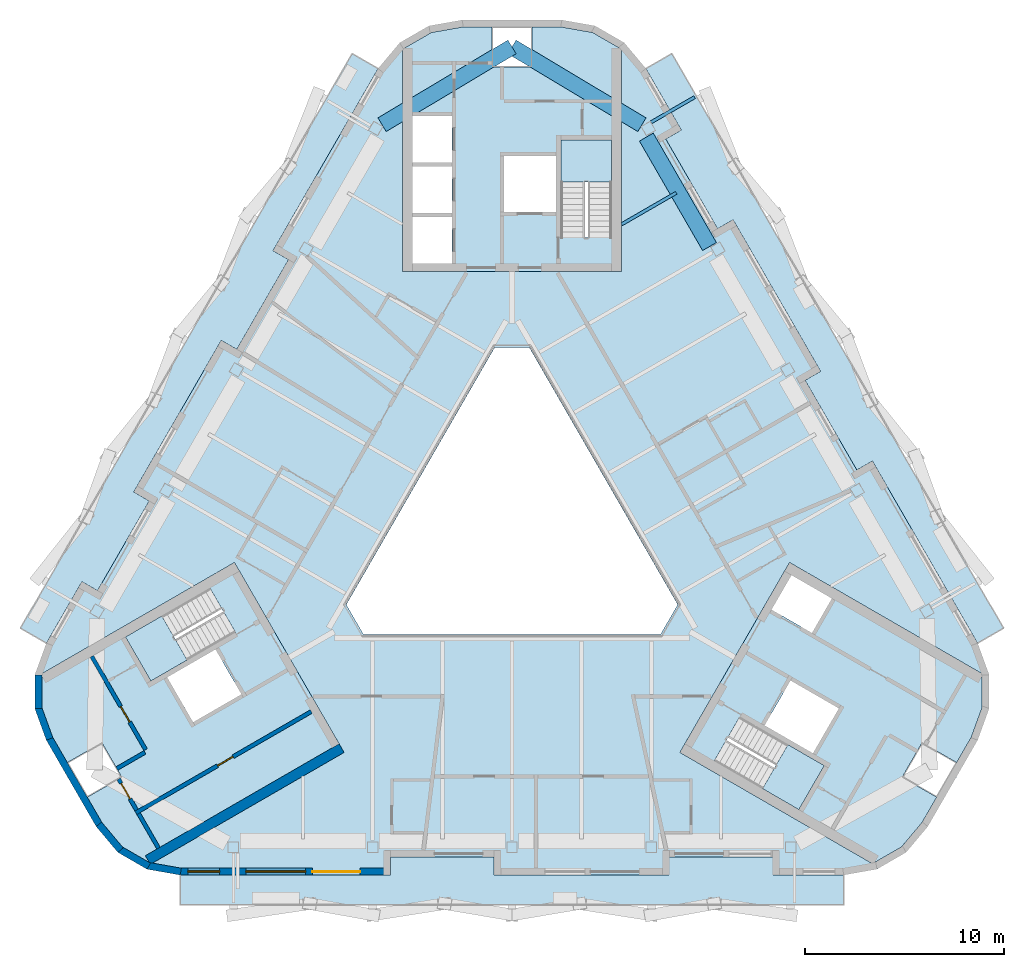
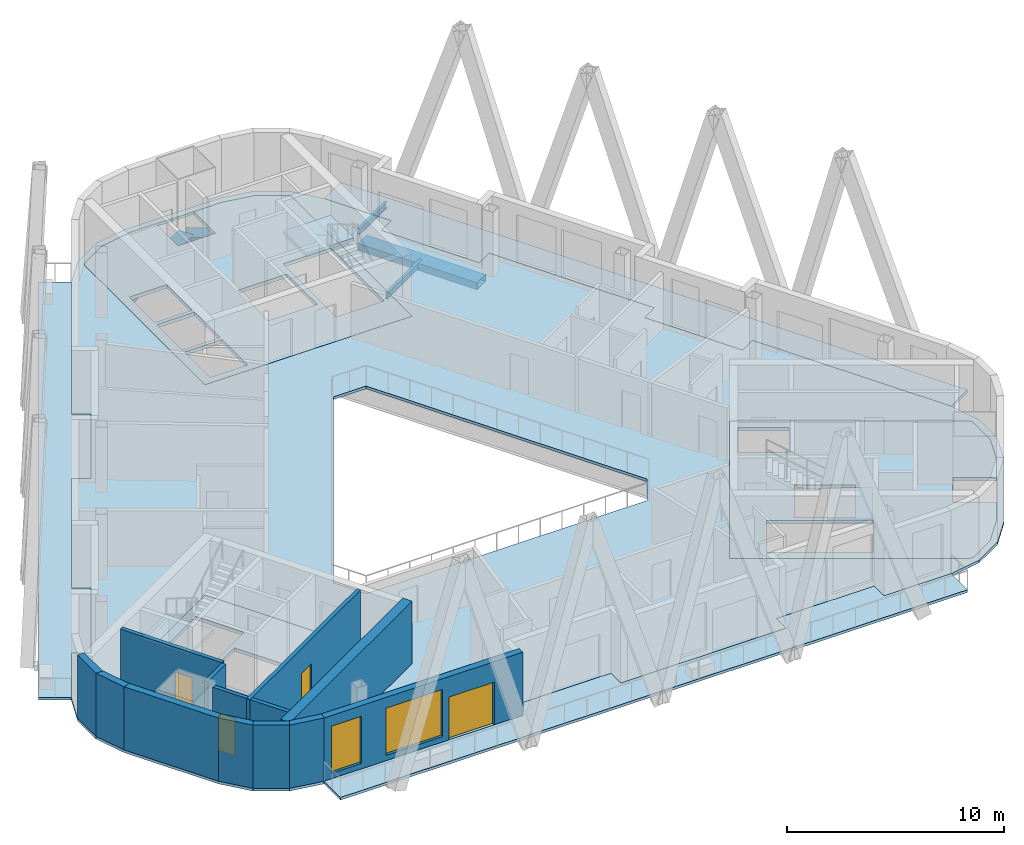
# One storey, part 2 of 12: 13 walls, 10 slabs, 5 beams, 4 doors, 2 windows, 6 openings, 3 elements without a shape of their own.
"""IFC4 building model written with IfcOpenShell, lengths in metres."""

from ifc_helpers import new_model, si_unit, direction, frame, frame_2d, origin, origin_2d, place, context, subcontext, project, spatial, polyline, rectangle, hollow_rectangle, i_section, outline, extrude, material, layer, layer_set, material_profile, profile_set, type_object, element, fill, aggregate, save


model = new_model("IFC4")

# Units and contexts
model_context = context("Model", 3, precision=1e-05, world=origin(), true_north=direction((0.0, 1.0)))
body_context = subcontext(model_context, "Body", "Model", "MODEL_VIEW")
ifc_project = project(units=[si_unit("LENGTHUNIT", "METRE"), si_unit("AREAUNIT", "SQUARE_METRE"), si_unit("VOLUMEUNIT", "CUBIC_METRE"), si_unit("PLANEANGLEUNIT", "RADIAN"), si_unit("MASSUNIT", "GRAM", prefix="KILO")], contexts=[model_context])

# Site, building, storey
site_placement = place(None, origin())
site = spatial("IfcSite", under=ifc_project, at=site_placement, CompositionType="ELEMENT")
building_placement = place(site_placement, origin())
building = spatial("IfcBuilding", under=site, at=building_placement, Name="Apuvela Tower Hotel", CompositionType="ELEMENT")
storey_placement = place(building_placement, frame((0.0, 0.0, 291.10009765625)))
storey = spatial("IfcBuildingStorey", under=building, at=storey_placement, Name="L72", CompositionType="ELEMENT", Elevation=291.10009765625)

# Beams
ifc_material_1 = material(Name="Steel S355", Category="steel")
ifc_material_profile_1 = material_profile(ifc_material_1, i_section(OverallWidth=0.159912109375, OverallDepth=0.330078125, WebThickness=0.007568359375, FlangeThickness=0.011474609375, at=origin_2d()), Name="IPE 330")
ifc_profile_set_1 = profile_set([ifc_material_profile_1], Name="Steel S355")
beam_type_1 = type_object("IfcBeamType", Name="ENV-BALCONY-BEAM-IPE330", PredefinedType="BEAM", material=ifc_profile_set_1)
beam_1_placement = place(storey_placement, frame((6.97412109375, 20.3935546875, -0.315185546875), z_axis=(0.866039067339, 0.499976333282, 0.0), x_axis=(-0.499976333282, 0.866039067339, 0.0)))
element("IfcBeam", 1, at=beam_1_placement, inside=storey, type_object=beam_type_1, Name="Balcony cantilever beam NE3 L72", PredefinedType="BEAM", context=body_context, shape_type="SweptSolid", body=[
    extrude(i_section(OverallWidth=0.159912109375, OverallDepth=0.330078125, WebThickness=0.007568359375, FlangeThickness=0.011474609375, at=origin_2d()), origin(), (0.0, 0.0, 1.0), 2.52490234375),
])
ifc_material_profile_2 = material_profile(ifc_material_1, i_section(OverallWidth=0.159912109375, OverallDepth=0.330078125, WebThickness=0.007568359375, FlangeThickness=0.011474609375, at=origin_2d()), Name="IPE 330")
ifc_profile_set_2 = profile_set([ifc_material_profile_2], Name="Steel S355")
beam_type_2 = type_object("IfcBeamType", Name="STR-B floor beam IPE 330", PredefinedType="BEAM", material=ifc_profile_set_2)
beam_2_placement = place(storey_placement, frame((8.236328125, 16.857421875, -0.315185546875), z_axis=(-0.866023457084, -0.500003371769, 0.0), x_axis=(0.500003371769, -0.866023457084, 0.0)))
element("IfcBeam", 2, at=beam_2_placement, inside=storey, type_object=beam_type_2, Name="Floor beam B1 NE8", PredefinedType="BEAM", context=body_context, shape_type="SweptSolid", body=[
    extrude(i_section(OverallWidth=0.159912109375, OverallDepth=0.330078125, WebThickness=0.007568359375, FlangeThickness=0.011474609375, at=origin_2d()), origin(), (0.0, 0.0, 1.0), 3.15966796875),
])
ifc_material_2 = material(Name="Steel S460", Category="steel")
ifc_material_profile_3 = material_profile(ifc_material_2, hollow_rectangle(XDim=0.800048828125, YDim=0.39990234375, WallThickness=0.02490234375, at=origin_2d()), Name="BOX 800x400x25")
ifc_profile_set_3 = profile_set([ifc_material_profile_3], Name="Steel S460")
beam_type_3 = type_object("IfcBeamType", Name="STR-RB perimeter ring beam BOX 800x400x25", PredefinedType="SPANDREL", material=ifc_profile_set_3)
beam_3_placement = place(storey_placement, frame((9.9072265625, 14.163330078125, -0.400146484375), z_axis=(-0.499992582699, 0.866029686123, 0.0), x_axis=(-0.866029686123, -0.499992582699, 0.0)))
element("IfcBeam", 3, at=beam_3_placement, inside=storey, type_object=beam_type_3, Name="Ring beam RB1 NE4", PredefinedType="SPANDREL", context=body_context, shape_type="SweptSolid", body=[
    extrude(hollow_rectangle(XDim=0.800048828125, YDim=0.39990234375, WallThickness=0.02490234375, at=origin_2d()), origin(), (0.0, 0.0, 1.0), 6.3369140625),
])
for number, where, z_axis, x_axis, name in (
    (4, (6.51708984375, 20.27392578125, -0.400146484375), (-0.858022828129, 0.51361155206, 0.0), (-0.51361155206, -0.858022828129, 0.0), "Ring beam RB1 NE5-N"),
    (5, (-6.51708984375, 20.27392578125, -0.400146484375), (0.858022828129, 0.51361155206, 0.0), (-0.51361155206, 0.858022828129, 0.0), "Ring beam RB1 NW1-N"),
):
    element("IfcBeam", number, at=place(storey_placement, frame(where, z_axis=z_axis, x_axis=x_axis)), inside=storey, type_object=beam_type_3, Name=name, PredefinedType="SPANDREL", context=body_context, shape_type="SweptSolid", body=[
        extrude(hollow_rectangle(XDim=0.800048828125, YDim=0.39990234375, WallThickness=0.02490234375, at=origin_2d()), origin(), (0.0, 0.0, 1.0), 7.595458984375),
    ])

# Slabs
ifc_material_3 = material(Name="Concrete C50/60", Category="concrete")
ifc_layer_1 = layer(ifc_material_3, 0.199951171875)
ifc_layer_set_1 = layer_set([ifc_layer_1], Name="COR-FLOOR-200")
slab_type_1 = type_object("IfcSlabType", Name="COR-FLOOR-200", PredefinedType="FLOOR", material=ifc_layer_set_1)
slab_1_placement = place(storey_placement, frame((0.0, 0.0, -0.2001953125)))
element("IfcSlab", 6, at=slab_1_placement, inside=storey, type_object=slab_type_1, Name="Core floor N", PredefinedType="FLOOR", context=body_context, shape_type="SweptSolid", body=[
    extrude(outline(polyline([(5.5, 23.99609375), (5.400390625, 24.11474609375), (4.044189453125, 24.897705078125), (2.471435546875, 25.175048828125), (1.0, 25.175048828125), (1.0, 23.175048828125), (-1.0, 23.175048828125), (-1.0, 25.175048828125), (-2.471435546875, 25.175048828125), (-4.044189453125, 24.897705078125), (-5.400390625, 24.11474609375), (-5.5, 23.99609375), (-5.5, 12.89990234375), (5.5, 12.89990234375), (5.5, 23.99609375)]), holes=[polyline([(-3.0, 13.300048828125), (-5.0, 13.300048828125), (-5.0, 15.639892578125), (-3.0, 15.639892578125), (-3.0, 13.300048828125)]), polyline([(-3.0, 15.840087890625), (-5.0, 15.840087890625), (-5.0, 18.179931640625), (-3.0, 18.179931640625), (-3.0, 15.840087890625)]), polyline([(5.0, 14.60595703125), (2.449951171875, 14.60595703125), (2.449951171875, 19.5), (5.0, 19.5), (5.0, 14.60595703125)]), polyline([(2.199951171875, 18.699951171875), (2.199951171875, 15.89990234375), (-0.39990234375, 15.89990234375), (-0.39990234375, 18.699951171875), (2.199951171875, 18.699951171875)]), polyline([(-3.0, 20.719970703125), (-3.0, 18.3798828125), (-5.0, 18.3798828125), (-5.0, 20.719970703125), (-3.0, 20.719970703125)])]), origin(), (0.0, 0.0, 1.0), 0.2001953125),
])
slab_2_placement = place(storey_placement, frame((0.0, 0.0, -0.2001953125)))
element("IfcSlab", 7, at=slab_2_placement, inside=storey, type_object=slab_type_1, Name="Core floor SW", PredefinedType="FLOOR", context=body_context, shape_type="SweptSolid", body=[
    extrude(outline(polyline([(-23.53125, -7.23486328125), (-23.584228515625, -7.38037109375), (-23.584228515625, -8.9462890625), (-23.0380859375, -10.447265625), (-22.30224609375, -11.721435546875), (-20.5703125, -10.721435546875), (-19.5703125, -12.45361328125), (-21.30224609375, -13.45361328125), (-20.56640625, -14.727783203125), (-19.539794921875, -15.951416015625), (-18.183837890625, -16.734375), (-18.03125, -16.76123046875), (-8.421630859375, -11.213134765625), (-13.921630859375, -1.68701171875), (-23.53125, -7.23486328125)]), holes=[polyline([(-13.874267578125, -5.18115234375), (-18.112548828125, -7.628173828125), (-19.387451171875, -5.419921875), (-15.149169921875, -2.972900390625), (-13.874267578125, -5.18115234375)]), polyline([(-13.56982421875, -8.29638671875), (-15.99462890625, -9.6962890625), (-17.294677734375, -7.444580078125), (-14.869873046875, -6.044677734375), (-13.56982421875, -8.29638671875)])]), origin(), (0.0, 0.0, 1.0), 0.2001953125),
])
slab_3_placement = place(storey_placement, frame((0.0, 0.0, -0.2001953125)))
element("IfcSlab", 8, at=slab_3_placement, inside=storey, type_object=slab_type_1, Name="Core floor SE", PredefinedType="FLOOR", context=body_context, shape_type="SweptSolid", body=[
    extrude(outline(polyline([(18.03125, -16.76123046875), (18.183837890625, -16.734375), (19.539794921875, -15.951416015625), (20.56640625, -14.727783203125), (21.30224609375, -13.45361328125), (19.5703125, -12.45361328125), (20.5703125, -10.721435546875), (22.30224609375, -11.721435546875), (23.0380859375, -10.447265625), (23.584228515625, -8.9462890625), (23.584228515625, -7.38037109375), (23.53125, -7.23486328125), (13.921630859375, -1.68701171875), (8.421630859375, -11.213134765625), (18.03125, -16.76123046875)]), holes=[polyline([(14.01806640625, -2.31982421875), (16.044677734375, -3.489990234375), (15.044677734375, -5.221923828125), (13.01806640625, -4.052001953125), (14.01806640625, -2.31982421875)]), polyline([(10.149169921875, -11.633056640625), (11.42431640625, -9.4248046875), (15.66259765625, -11.871826171875), (14.387451171875, -14.080078125), (10.149169921875, -11.633056640625)]), polyline([(12.669921875, -9.855224609375), (13.9697265625, -7.603515625), (16.394775390625, -9.003662109375), (15.0947265625, -11.25537109375), (12.669921875, -9.855224609375)])]), origin(), (0.0, 0.0, 1.0), 0.2001953125),
])

# Stair, slab
stair_type = type_object("IfcStairType", Name="COR-STAIR-22R", PredefinedType="HALF_TURN_STAIR", material=ifc_material_3)
stair_1_placement = place(storey_placement, origin())
stair_1 = element("IfcStair", 9, at=stair_1_placement, inside=storey, type_object=stair_type, Name="L72 Exit stair ST1", PredefinedType="HALF_TURN_STAIR")
ifc_layer_2 = layer(ifc_material_3, 0.199951171875)
ifc_layer_set_2 = layer_set([ifc_layer_2], Name="COR-LANDING-200")
slab_type_2 = type_object("IfcSlabType", Name="COR-LANDING-200", PredefinedType="LANDING", material=ifc_layer_set_2)
slab_4_placement = place(storey_placement, frame((0.0, 0.0, 1.64990234375)))
slab_4 = element("IfcSlab", 10, at=slab_4_placement, type_object=slab_type_2, Name="ST1 landing 1", PredefinedType="LANDING", context=body_context, shape_type="SweptSolid", body=[
    extrude(outline(polyline([(5.0, 17.39404296875), (5.0, 19.5), (2.449951171875, 19.5), (2.449951171875, 17.39404296875), (5.0, 17.39404296875)])), origin(), (0.0, 0.0, 1.0), 0.199951171875),
])
aggregate(stair_1, [slab_4])

stair_2_placement = place(storey_placement, origin())
stair_2 = element("IfcStair", 11, at=stair_2_placement, inside=storey, type_object=stair_type, Name="L72 Exit stair ST2", PredefinedType="HALF_TURN_STAIR")
slab_5_placement = place(storey_placement, frame((0.0, 0.0, 1.64990234375)))
slab_5 = element("IfcSlab", 12, at=slab_5_placement, type_object=slab_type_2, Name="ST2 landing 1", PredefinedType="LANDING", context=body_context, shape_type="SweptSolid", body=[
    extrude(outline(polyline([(-17.563720703125, -4.366943359375), (-19.387451171875, -5.419921875), (-18.112548828125, -7.628173828125), (-16.28857421875, -6.5751953125), (-17.563720703125, -4.366943359375)])), origin(), (0.0, 0.0, 1.0), 0.199951171875),
])
aggregate(stair_2, [slab_5])

stair_3_placement = place(storey_placement, origin())
stair_3 = element("IfcStair", 13, at=stair_3_placement, inside=storey, type_object=stair_type, Name="L72 Exit stair ST3", PredefinedType="HALF_TURN_STAIR")
slab_6_placement = place(storey_placement, frame((0.0, 0.0, 1.64990234375)))
slab_6 = element("IfcSlab", 14, at=slab_6_placement, type_object=slab_type_2, Name="ST3 landing 1", PredefinedType="LANDING", context=body_context, shape_type="SweptSolid", body=[
    extrude(outline(polyline([(12.563720703125, -13.027099609375), (14.387451171875, -14.080078125), (15.66259765625, -11.871826171875), (13.838623046875, -10.81884765625), (12.563720703125, -13.027099609375)])), origin(), (0.0, 0.0, 1.0), 0.199951171875),
])
aggregate(stair_3, [slab_6])

# Slabs
ifc_material_4 = material(Name="Concrete C40/50, fair-faced", Category="concrete")
ifc_layer_3 = layer(ifc_material_4, 0.14990234375)
ifc_layer_set_3 = layer_set([ifc_layer_3], Name="ENV-BALCONY-150")
slab_type_3 = type_object("IfcSlabType", Name="ENV-BALCONY-150", PredefinedType="FLOOR", material=ifc_layer_set_3)
slab_7_placement = place(storey_placement, frame((0.0, 0.0, -0.150146484375)))
element("IfcSlab", 15, at=slab_7_placement, inside=storey, type_object=slab_type_3, Name="Balcony slab S L72", PredefinedType="FLOOR", context=body_context, shape_type="SweptSolid", body=[
    extrude(outline(polyline([(16.646484375, -18.86669921875), (-16.646484375, -18.86669921875), (-16.646484375, -17.356689453125), (-6.092041015625, -17.356689453125), (-6.092041015625, -16.45654296875), (-0.89501953125, -16.45654296875), (-0.89501953125, -17.356689453125), (7.882080078125, -17.356689453125), (7.882080078125, -16.45654296875), (13.0791015625, -16.45654296875), (13.0791015625, -17.356689453125), (16.646484375, -17.356689453125), (16.646484375, -18.86669921875)])), origin(), (0.0, 0.0, 1.0), 0.150146484375),
])
slab_8_placement = place(storey_placement, frame((0.0, 0.0, -0.150146484375)))
element("IfcSlab", 16, at=slab_8_placement, inside=storey, type_object=slab_type_3, Name="Balcony slab NE L72", PredefinedType="FLOOR", context=body_context, shape_type="SweptSolid", body=[
    extrude(outline(polyline([(15.478759765625, 7.9033203125), (11.090087890625, 15.50439453125), (10.310791015625, 15.054443359375), (7.71240234375, 19.555419921875), (8.49169921875, 20.00537109375), (6.7080078125, 23.094482421875), (8.015625, 23.849609375), (24.662353515625, -4.98291015625), (23.3544921875, -5.738037109375), (18.077392578125, 3.40234375), (17.2978515625, 2.952392578125), (14.699462890625, 7.453369140625), (15.478759765625, 7.9033203125)])), origin(), (0.0, 0.0, 1.0), 0.150146484375),
])
slab_9_placement = place(storey_placement, frame((0.0, 0.0, -0.150146484375)))
element("IfcSlab", 17, at=slab_9_placement, inside=storey, type_object=slab_type_3, Name="Balcony slab NW L72", PredefinedType="FLOOR", context=body_context, shape_type="SweptSolid", body=[
    extrude(outline(polyline([(-24.662353515625, -4.98291015625), (-8.015625, 23.849609375), (-6.7080078125, 23.0947265625), (-11.9853515625, 13.9541015625), (-11.205810546875, 13.504150390625), (-13.804443359375, 9.00341796875), (-14.583740234375, 9.453369140625), (-18.972412109375, 1.852294921875), (-18.19287109375, 1.402099609375), (-20.79150390625, -3.0986328125), (-21.57080078125, -2.648681640625), (-23.3544921875, -5.738037109375), (-24.662353515625, -4.98291015625)])), origin(), (0.0, 0.0, 1.0), 0.150146484375),
])
ifc_material_5 = material(Name="Concrete C35/45", Category="concrete")
ifc_layer_4 = layer(ifc_material_5, 0.14990234375)
ifc_layer_set_4 = layer_set([ifc_layer_4], Name="STR-SLAB 150 floor Concrete C35/45")
slab_type_4 = type_object("IfcSlabType", Name="STR-SLAB 150 floor Concrete C35/45", PredefinedType="FLOOR", material=ifc_layer_set_4)
slab_10_placement = place(storey_placement, frame((0.0, 0.0, -0.150146484375)))
element("IfcSlab", 18, at=slab_10_placement, inside=storey, type_object=slab_type_4, Name="Floor slab S4 L72", PredefinedType="FLOOR", context=body_context, shape_type="SweptSolid", body=[
    extrude(outline(polyline([(-5.62890625, 24.386962890625), (-4.165771484375, 25.231689453125), (-2.502197265625, 25.525146484375), (2.502197265625, 25.525146484375), (4.165771484375, 25.231689453125), (5.62890625, 24.386962890625), (6.71484375, 23.0927734375), (8.49853515625, 20.00341796875), (7.718994140625, 19.553466796875), (10.3125, 15.061279296875), (11.092041015625, 15.51123046875), (15.485595703125, 7.9013671875), (14.706298828125, 7.451416015625), (17.2998046875, 2.959228515625), (18.0791015625, 3.4091796875), (23.3564453125, -5.731201171875), (23.93408203125, -7.318603515625), (23.93408203125, -9.008056640625), (23.3564453125, -10.595703125), (20.854248046875, -14.929443359375), (19.768310546875, -16.2236328125), (18.305419921875, -17.068359375), (16.6416015625, -17.361572265625), (13.07421875, -17.361572265625), (13.07421875, -16.461669921875), (7.88720703125, -16.461669921875), (7.88720703125, -17.361572265625), (-0.89990234375, -17.361572265625), (-0.89990234375, -16.461669921875), (-6.087158203125, -16.461669921875), (-6.087158203125, -17.361572265625), (-16.6416015625, -17.361572265625), (-18.305419921875, -17.068359375), (-19.768310546875, -16.2236328125), (-20.854248046875, -14.929443359375), (-23.3564453125, -10.595703125), (-23.93408203125, -9.008056640625), (-23.93408203125, -7.318603515625), (-23.3564453125, -5.731201171875), (-21.57275390625, -2.641845703125), (-20.793212890625, -3.091796875), (-18.19970703125, 1.400390625), (-18.979248046875, 1.850341796875), (-14.585693359375, 9.460205078125), (-13.80615234375, 9.01025390625), (-11.212646484375, 13.50244140625), (-11.9921875, 13.952392578125), (-6.71484375, 23.0927734375), (-5.62890625, 24.386962890625)]), holes=[polyline([(0.865966796875, 9.10009765625), (-0.865966796875, 9.10009765625), (-8.313720703125, -3.800048828125), (-7.44775390625, -5.300048828125), (7.44775390625, -5.300048828125), (8.313720703125, -3.800048828125), (0.865966796875, 9.10009765625)]), polyline([(-5.5, 12.89990234375), (-5.5, 23.99609375), (-5.400390625, 24.11474609375), (-4.044189453125, 24.897705078125), (-2.471435546875, 25.175048828125), (2.471435546875, 25.175048828125), (4.044189453125, 24.897705078125), (5.400390625, 24.11474609375), (5.5, 23.99609375), (5.5, 12.89990234375), (-5.5, 12.89990234375)]), polyline([(-8.421630859375, -11.213134765625), (-18.03125, -16.76123046875), (-18.183837890625, -16.734375), (-19.539794921875, -15.951416015625), (-20.56640625, -14.727783203125), (-23.0380859375, -10.447265625), (-23.584228515625, -8.9462890625), (-23.584228515625, -7.38037109375), (-23.53125, -7.23486328125), (-13.921630859375, -1.68701171875), (-8.421630859375, -11.213134765625)]), polyline([(13.921630859375, -1.68701171875), (23.53125, -7.23486328125), (23.584228515625, -7.38037109375), (23.584228515625, -8.9462890625), (23.0380859375, -10.447265625), (20.56640625, -14.727783203125), (19.539794921875, -15.951416015625), (18.183837890625, -16.734375), (18.03125, -16.76123046875), (8.421630859375, -11.213134765625), (13.921630859375, -1.68701171875)])]), origin(), (0.0, 0.0, 1.0), 0.150146484375),
])

# Wall
ifc_layer_5 = layer(ifc_material_3, 0.5)
ifc_layer_set_5 = layer_set([ifc_layer_5], Name="COR-WALL-CORE-500")
wall_type_1 = type_object("IfcWallType", Name="COR-WALL-CORE-500", PredefinedType="SHEAR", material=ifc_layer_set_5)
wall_1_placement = place(storey_placement, frame((-8.546630859375, -10.99658203125, 0.0), z_axis=(0.0, 0.0, 1.0), x_axis=(-0.866025449148, -0.499999921427, 0.0)))
element("IfcWall", 19, at=wall_1_placement, inside=storey, type_object=wall_type_1, Name="Core wall SW", PredefinedType="SHEAR", context=body_context, shape_type="SweptSolid", body=[
    extrude(rectangle(XDim=11.2216796875, YDim=0.5, at=frame_2d((5.61083984375, 0.0))), origin(), (0.0, 0.0, 1.0), 3.5),
])

# Wall, opening, door
ifc_material_6 = material(Name="Blockwork 200 mm plastered", Category="masonry")
ifc_layer_6 = layer(ifc_material_6, 0.199951171875)
ifc_layer_set_6 = layer_set([ifc_layer_6], Name="COR-WALL-PART-200")
wall_type_2 = type_object("IfcWallType", Name="COR-WALL-PART-200", PredefinedType="PARTITIONING", material=ifc_layer_set_6)
wall_2_placement = place(storey_placement, frame((-21.076171875, -6.39501953125, 0.0), z_axis=(0.0, 0.0, 1.0), x_axis=(0.50001468107, -0.866016927499, 0.0)))
wall_2 = element("IfcWall", 20, at=wall_2_placement, inside=storey, type_object=wall_type_2, Name="Partition SW", PredefinedType="PARTITIONING", context=body_context, shape_type="SweptSolid", body=[
    extrude(rectangle(XDim=5.399658203125, YDim=0.199951171875, at=frame_2d((2.69970703125, 0.0))), origin(), (0.0, 0.0, 1.0), 3.5),
])
opening_1_placement = place(wall_2_placement, frame((2.89990234375, 0.0, 0.0)))
opening_1 = element("IfcOpeningElement", 21, at=opening_1_placement, cuts=wall_2, Name="Opening W-RS1", PredefinedType="OPENING", context=body_context, shape_type="SweptSolid", body=[
    extrude(rectangle(XDim=0.89990234375, YDim=2.10009765625, at=frame_2d((0.449951171875, 1.050048828125))), frame((0.0, 0.10986328125, 0.0), z_axis=(0.0, -1.0, 0.0), x_axis=(1.0, 0.0, 0.0)), (0.0, 0.0, 1.0), 0.219970703125),
])
ifc_material_7 = material(Name="Steel fire door, powder coated", Category="steel")
door_type_1 = type_object("IfcDoorType", Name="COR-DR-900", OperationType="NOTDEFINED", PredefinedType="DOOR", material=ifc_material_7)
door_1_placement = place(opening_1_placement, frame((0.89990234375, 0.0, 0.0), z_axis=(0.0, 0.0, 1.0), x_axis=(-1.0, 0.0, 0.0)))
door_1 = element("IfcDoor", 22, at=door_1_placement, inside=storey, type_object=door_type_1, Name="Store door W-RS1", OperationType="SINGLE_SWING_LEFT", OverallHeight=2.10009765625, OverallWidth=0.89990234375, PredefinedType="DOOR", context=body_context, shape_type="SweptSolid", body=[
    extrude(rectangle(XDim=0.89990234375, YDim=2.10009765625, at=frame_2d((0.449951171875, 1.050048828125))), frame((0.0, 0.02490234375, 0.0), z_axis=(0.0, -1.0, 0.0), x_axis=(1.0, 0.0, 0.0)), (0.0, 0.0, 1.0), 0.050048828125),
])
fill(opening_1, door_1)

ifc_layer_7 = layer(ifc_material_3, 0.199951171875)
ifc_layer_set_7 = layer_set([ifc_layer_7], Name="COR-WALL-SHAFT-200")
wall_type_3 = type_object("IfcWallType", Name="COR-WALL-SHAFT-200", PredefinedType="SHEAR", material=ifc_layer_set_7)
wall_3_placement = place(storey_placement, frame((-10.068115234375, -9.16162109375, 0.0), z_axis=(0.0, 0.0, 1.0), x_axis=(-0.866032725843, -0.499987317609, 0.0)))
wall_3 = element("IfcWall", 23, at=wall_3_placement, inside=storey, type_object=wall_type_3, Name="Shaft wall SW", PredefinedType="SHEAR", context=body_context, shape_type="SweptSolid", body=[
    extrude(rectangle(XDim=10.159912109375, YDim=0.199951171875, at=frame_2d((5.080078125, 0.0))), origin(), (0.0, 0.0, 1.0), 3.5),
])
opening_2_placement = place(wall_3_placement, frame((4.530029296875, 0.0, 0.0)))
opening_2 = element("IfcOpeningElement", 24, at=opening_2_placement, cuts=wall_3, Name="Opening W-RE1", PredefinedType="OPENING", context=body_context, shape_type="SweptSolid", body=[
    extrude(rectangle(XDim=0.89990234375, YDim=2.10009765625, at=frame_2d((0.449951171875, 1.050048828125))), frame((0.0, 0.10986328125, 0.0), z_axis=(0.0, -1.0, 0.0), x_axis=(1.0, 0.0, 0.0)), (0.0, 0.0, 1.0), 0.219970703125),
])
door_2_placement = place(opening_2_placement, origin())
door_2 = element("IfcDoor", 25, at=door_2_placement, inside=storey, type_object=door_type_1, Name="Store door W-RE1", OperationType="SINGLE_SWING_LEFT", OverallHeight=2.10009765625, OverallWidth=0.89990234375, PredefinedType="DOOR", context=body_context, shape_type="SweptSolid", body=[
    extrude(rectangle(XDim=0.89990234375, YDim=2.10009765625, at=frame_2d((0.449951171875, 1.050048828125))), frame((0.0, 0.02490234375, 0.0), z_axis=(0.0, -1.0, 0.0), x_axis=(1.0, 0.0, 0.0)), (0.0, 0.0, 1.0), 0.050048828125),
])
fill(opening_2, door_2)

wall_4_placement = place(storey_placement, frame((-19.73046875, -12.5458984375, 0.0), z_axis=(0.0, 0.0, 1.0), x_axis=(0.500004188491, -0.866022985545, 0.0)))
wall_4 = element("IfcWall", 26, at=wall_4_placement, inside=storey, type_object=wall_type_3, Name="Shaft wall SW", PredefinedType="SHEAR", context=body_context, shape_type="SweptSolid", body=[
    extrude(rectangle(XDim=1.80029296875, YDim=0.199951171875, at=frame_2d((0.900146484375, 0.0))), origin(), (0.0, 0.0, 1.0), 3.5),
])
opening_3_placement = place(wall_4_placement, frame((0.25, 0.0, 0.0)))
opening_3 = element("IfcOpeningElement", 27, at=opening_3_placement, cuts=wall_4, Name="Opening W-REP", PredefinedType="OPENING", context=body_context, shape_type="SweptSolid", body=[
    extrude(rectangle(XDim=0.89990234375, YDim=2.10009765625, at=frame_2d((0.449951171875, 1.050048828125))), frame((0.0, 0.10986328125, 0.0), z_axis=(0.0, -1.0, 0.0), x_axis=(1.0, 0.0, 0.0)), (0.0, 0.0, 1.0), 0.219970703125),
])
door_3_placement = place(opening_3_placement, frame((0.89990234375, 0.0, 0.0), z_axis=(0.0, 0.0, 1.0), x_axis=(-1.0, 0.0, 0.0)))
door_3 = element("IfcDoor", 28, at=door_3_placement, inside=storey, type_object=door_type_1, Name="Store door W-REP", OperationType="SINGLE_SWING_LEFT", OverallHeight=2.10009765625, OverallWidth=0.89990234375, PredefinedType="DOOR", context=body_context, shape_type="SweptSolid", body=[
    extrude(rectangle(XDim=0.89990234375, YDim=2.10009765625, at=frame_2d((0.449951171875, 1.050048828125))), frame((0.0, 0.02490234375, 0.0), z_axis=(0.0, -1.0, 0.0), x_axis=(1.0, 0.0, 0.0)), (0.0, 0.0, 1.0), 0.050048828125),
])
fill(opening_3, door_3)

# Walls
wall_5_placement = place(storey_placement, frame((-18.412841796875, -11.2080078125, 0.0), z_axis=(0.0, 0.0, 1.0), x_axis=(-0.866053003207, -0.499952193351, 0.0)))
element("IfcWall", 29, at=wall_5_placement, inside=storey, type_object=wall_type_3, Name="Shaft wall SW", PredefinedType="SHEAR", context=body_context, shape_type="SweptSolid", body=[
    extrude(rectangle(XDim=1.625244140625, YDim=0.199951171875, at=frame_2d((0.8125, 0.0))), origin(), (0.0, 0.0, 1.0), 3.5),
])
wall_6_placement = place(storey_placement, frame((-18.73046875, -14.278076171875, 0.0), z_axis=(0.0, 0.0, 1.0), x_axis=(0.50002537861, -0.866010750942, 0.0)))
element("IfcWall", 30, at=wall_6_placement, inside=storey, type_object=wall_type_3, Name="Shaft wall SW", PredefinedType="SHEAR", context=body_context, shape_type="SweptSolid", body=[
    extrude(rectangle(XDim=2.0, YDim=0.199951171875, at=frame_2d((1.0, 0.0))), origin(), (0.0, 0.0, 1.0), 3.5),
])
ifc_material_8 = material(Name="Concrete C40/50, dark pigmented precast panel", Category="concrete")
ifc_layer_8 = layer(ifc_material_8, 0.35009765625)
ifc_layer_set_8 = layer_set([ifc_layer_8], Name="ENV-WALL-350")
wall_type_4 = type_object("IfcWallType", Name="ENV-WALL-350", PredefinedType="SOLIDWALL", material=ifc_layer_set_8)
for number, where, z_axis, x_axis, name in (
    (31, (-23.75927734375, -7.318603515625, 0.0), (0.0, 0.0, 1.0), (0.0, -1.0, 0.0), "External wall L72-11"),
    (32, (-23.769775390625, -8.9482421875, 0.0), (0.0, 0.0, 1.0), (0.342033102914, -0.93968790378, 0.0), "External wall L72-12"),
):
    element("IfcWall", number, at=place(storey_placement, frame(where, z_axis=z_axis, x_axis=x_axis)), inside=storey, type_object=wall_type_4, Name=name, PredefinedType="SOLIDWALL", context=body_context, shape_type="SweptSolid", body=[
        extrude(rectangle(XDim=1.689453125, YDim=0.35009765625, at=frame_2d((0.8447265625, 0.0))), origin(), (0.0, 0.0, 1.0), 3.5498046875),
    ])
wall_7_placement = place(storey_placement, frame((-23.204833984375, -10.508056640625, 0.0), z_axis=(0.0, 0.0, 1.0), x_axis=(0.500016662025, -0.866015783746, 0.0)))
element("IfcWall", 33, at=wall_7_placement, inside=storey, type_object=wall_type_4, Name="External wall L72-13", PredefinedType="SOLIDWALL", context=body_context, shape_type="SweptSolid", body=[
    extrude(rectangle(XDim=5.004150390625, YDim=0.35009765625, at=frame_2d((2.501953125, 0.0))), origin(), (0.0, 0.0, 1.0), 3.5498046875),
])
wall_8_placement = place(storey_placement, frame((-20.72021484375, -14.81689453125, 0.0), z_axis=(0.0, 0.0, 1.0), x_axis=(0.642697100627, -0.766120380127, 0.0)))
element("IfcWall", 34, at=wall_8_placement, inside=storey, type_object=wall_type_4, Name="External wall L72-14", PredefinedType="SOLIDWALL", context=body_context, shape_type="SweptSolid", body=[
    extrude(rectangle(XDim=1.689208984375, YDim=0.35009765625, at=frame_2d((0.8447265625, 0.0))), origin(), (0.0, 0.0, 1.0), 3.5498046875),
])
for number, where, z_axis, x_axis, name in (
    (35, (-19.680908203125, -16.072021484375, 0.0), (0.0, 0.0, 1.0), (0.866029168372, -0.499993479487, 0.0), "External wall L72-15"),
    (36, (-18.27490234375, -16.89599609375, 0.0), (0.0, 0.0, 1.0), (0.984824265658, -0.17355450375, 0.0), "External wall L72-16"),
):
    element("IfcWall", number, at=place(storey_placement, frame(where, z_axis=z_axis, x_axis=x_axis)), inside=storey, type_object=wall_type_4, Name=name, PredefinedType="SOLIDWALL", context=body_context, shape_type="SweptSolid", body=[
        extrude(rectangle(XDim=1.689453125, YDim=0.35009765625, at=frame_2d((0.8447265625, 0.0))), origin(), (0.0, 0.0, 1.0), 3.5498046875),
    ])

# Wall, openings, door, windows
wall_9_placement = place(storey_placement, frame((-16.6416015625, -17.1865234375, 0.0), z_axis=(0.0, 0.0, 1.0), x_axis=(1.0, 0.0, 0.0)))
wall_9 = element("IfcWall", 37, at=wall_9_placement, inside=storey, type_object=wall_type_4, Name="External wall L72-17", PredefinedType="SOLIDWALL", context=body_context, shape_type="SweptSolid", body=[
    extrude(rectangle(XDim=10.554443359375, YDim=0.35009765625, at=frame_2d((5.27734375, 0.0))), origin(), (0.0, 0.0, 1.0), 3.5498046875),
])
opening_4_placement = place(wall_9_placement, frame((0.38037109375, 0.0, 0.300048828125)))
opening_4 = element("IfcOpeningElement", 38, at=opening_4_placement, cuts=wall_9, Name="Opening WN16", PredefinedType="OPENING", context=body_context, shape_type="SweptSolid", body=[
    extrude(rectangle(XDim=1.60009765625, YDim=2.64990234375, at=frame_2d((0.800048828125, 1.324951171875))), frame((0.0, 0.18505859375, 0.0), z_axis=(0.0, -1.0, 0.0), x_axis=(1.0, 0.0, 0.0)), (0.0, 0.0, 1.0), 0.3701171875),
])
opening_5_placement = place(wall_9_placement, frame((6.6298828125, 0.0, 0.0)))
opening_5 = element("IfcOpeningElement", 39, at=opening_5_placement, cuts=wall_9, Name="Opening BD24", PredefinedType="OPENING", context=body_context, shape_type="SweptSolid", body=[
    extrude(rectangle(XDim=2.39990234375, YDim=2.39990234375, at=frame_2d((1.199951171875, 1.199951171875))), frame((0.0, 0.18505859375, 0.0), z_axis=(0.0, -1.0, 0.0), x_axis=(1.0, 0.0, 0.0)), (0.0, 0.0, 1.0), 0.3701171875),
])
opening_6_placement = place(wall_9_placement, frame((3.29248046875, 0.0, 0.300048828125)))
opening_6 = element("IfcOpeningElement", 40, at=opening_6_placement, cuts=wall_9, Name="Opening WN30", PredefinedType="OPENING", context=body_context, shape_type="SweptSolid", body=[
    extrude(rectangle(XDim=3.0, YDim=2.64990234375, at=frame_2d((1.5, 1.324951171875))), frame((0.0, 0.18505859375, 0.0), z_axis=(0.0, -1.0, 0.0), x_axis=(1.0, 0.0, 0.0)), (0.0, 0.0, 1.0), 0.3701171875),
])
ifc_material_9 = material(Name="Aluminium 6063-T6, dark bronze anodised frame with dark tinted laminated glass", Category="aluminium")
door_type_2 = type_object("IfcDoorType", Name="ENV-DOOR-BALCONY-2400x2400", OperationType="SLIDING_TO_LEFT", PredefinedType="DOOR", material=ifc_material_9)
door_4_placement = place(opening_5_placement, frame((2.39990234375, 0.0, 0.0), z_axis=(0.0, 0.0, 1.0), x_axis=(-1.0, 0.0, 0.0)))
door_4 = element("IfcDoor", 41, at=door_4_placement, inside=storey, type_object=door_type_2, Name="Balcony door BD24", OperationType="SLIDING_TO_LEFT", OverallHeight=2.39990234375, OverallWidth=2.39990234375, PredefinedType="DOOR", context=body_context, shape_type="SweptSolid", body=[
    extrude(rectangle(XDim=2.39990234375, YDim=2.39990234375, at=frame_2d((1.199951171875, 1.199951171875))), frame((0.0, 0.02490234375, 0.0), z_axis=(0.0, -1.0, 0.0), x_axis=(1.0, 0.0, 0.0)), (0.0, 0.0, 1.0), 0.050048828125),
])
fill(opening_5, door_4)
ifc_material_10 = material(Name="Glass, dark tinted laminated insulated glazing unit", Category="glass")
window_type_1 = type_object("IfcWindowType", Name="ENV-WIN-1600x2650", PartitioningType="SINGLE_PANEL", PredefinedType="WINDOW", material=ifc_material_10)
window_1_placement = place(opening_4_placement, origin())
window_1 = element("IfcWindow", 42, at=window_1_placement, inside=storey, type_object=window_type_1, Name="Window WN16", OverallHeight=2.64990234375, OverallWidth=1.60009765625, PartitioningType="SINGLE_PANEL", PredefinedType="WINDOW", context=body_context, shape_type="SweptSolid", body=[
    extrude(rectangle(XDim=1.60009765625, YDim=2.64990234375, at=frame_2d((0.800048828125, 1.324951171875))), frame((0.0, 0.030029296875, 0.0), z_axis=(0.0, -1.0, 0.0), x_axis=(1.0, 0.0, 0.0)), (0.0, 0.0, 1.0), 0.06005859375),
])
fill(opening_4, window_1)
window_type_2 = type_object("IfcWindowType", Name="ENV-WIN-3000x2650", PartitioningType="SINGLE_PANEL", PredefinedType="WINDOW", material=ifc_material_10)
window_2_placement = place(opening_6_placement, origin())
window_2 = element("IfcWindow", 43, at=window_2_placement, inside=storey, type_object=window_type_2, Name="Window WN30", OverallHeight=2.64990234375, OverallWidth=3.0, PartitioningType="SINGLE_PANEL", PredefinedType="WINDOW", context=body_context, shape_type="SweptSolid", body=[
    extrude(rectangle(XDim=3.0, YDim=2.64990234375, at=frame_2d((1.5, 1.324951171875))), frame((0.0, 0.030029296875, 0.0), z_axis=(0.0, -1.0, 0.0), x_axis=(1.0, 0.0, 0.0)), (0.0, 0.0, 1.0), 0.06005859375),
])
fill(opening_6, window_2)

save(model, "model.ifc")
